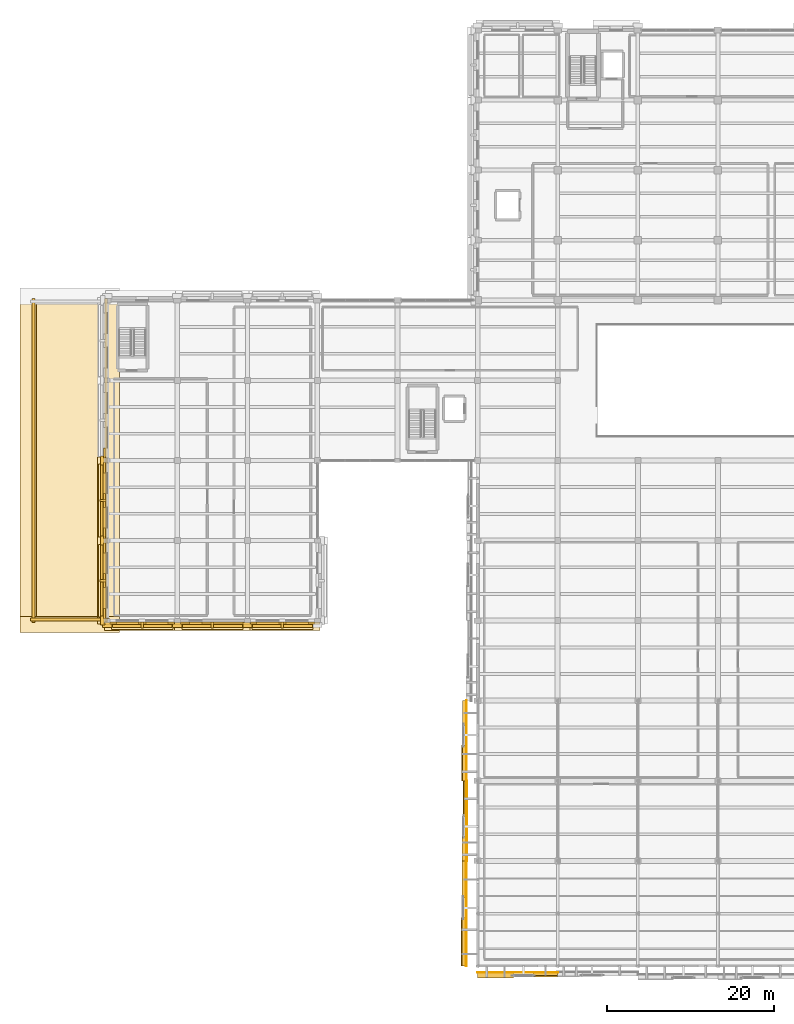
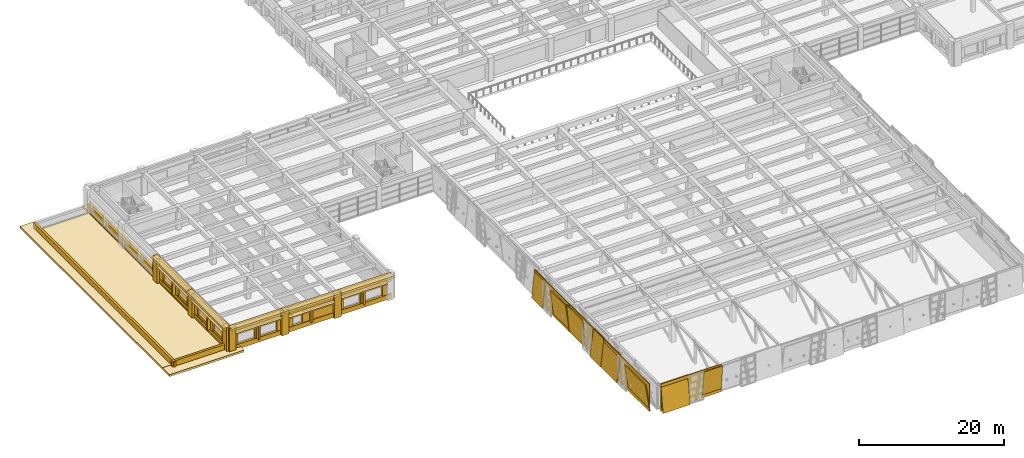
# One storey, part 52 of 62: 65 coverings, 5 shading devices.
"""IFC4 building model written with IfcOpenShell, lengths in metres."""

import ifcopenshell
import ifcopenshell.guid

model = None  # the IFC model being written
_history = None  # IfcOwnerHistory: only IFC2X3 demands one
_inside = {}  # id of a spatial element -> (the spatial element, [elements in it])
_under = {}  # id of a project, library or spatial element -> (it, [spatial elements below it])
_declared = {}  # id of a project -> (the project, [libraries it declares])
_typed = {}  # id of a type object -> (the type object, [elements of that type])
_made_of = {}  # id of a material, layer set ... -> (it, [elements and type objects made of it])


def new_model(schema):
    """Start an empty IFC model of exactly this schema.

    Asked for "IFC4X3", IfcOpenShell would pick the latest addendum, in which some entities
    have other attributes; the version numbers below select the first issue.
    IFC2X3 requires an IfcOwnerHistory on every rooted entity: one is made here for all.
    """
    global model, _history
    if schema == "IFC4X3":
        model = ifcopenshell.file(schema_version=(4, 3, 0, 0))
    else:
        model = ifcopenshell.file(schema=schema)
    _inside.clear()
    _under.clear()
    _declared.clear()
    _typed.clear()
    _made_of.clear()
    _history = None
    if model.schema == "IFC2X3":
        org = make("IfcOrganization", Name="unknown")
        user = make(
            "IfcPersonAndOrganization",
            ThePerson=make("IfcPerson", FamilyName="unknown"),
            TheOrganization=org,
        )
        app = make(
            "IfcApplication",
            ApplicationDeveloper=org,
            Version="unknown",
            ApplicationFullName="unknown",
            ApplicationIdentifier="unknown",
        )
        _history = make(
            "IfcOwnerHistory",
            OwningUser=user,
            OwningApplication=app,
            ChangeAction="ADDED",
            CreationDate=0,
        )
    return model


def make(cls, **values):
    """One entity of the class cls with the attributes given. An attribute that is None is left unset."""
    return model.create_entity(
        cls, **{name: value for name, value in values.items() if value is not None}
    )


def rooted(cls, **values):
    """An entity with a GlobalId (a new one), such as an element, a storey or a relation."""
    return make(cls, GlobalId=ifcopenshell.guid.new(), OwnerHistory=_history, **values)


def si_unit(unit_type, name, prefix=None):
    """IfcSIUnit, for example si_unit("LENGTHUNIT", "METRE", prefix="MILLI")."""
    return make("IfcSIUnit", UnitType=unit_type, Prefix=prefix, Name=name)


def assignment(units):
    """IfcUnitAssignment: the units of a project."""
    return None if units is None else make("IfcUnitAssignment", Units=units)


def point(xyz):
    """IfcCartesianPoint."""
    return None if xyz is None else make("IfcCartesianPoint", Coordinates=xyz)


def direction(xyz):
    """IfcDirection."""
    return None if xyz is None else make("IfcDirection", DirectionRatios=xyz)


def frame(location, z_axis=None, x_axis=None):
    """IfcAxis2Placement3D, a coordinate frame: its origin and axes. An axis left out is left unset."""
    return make(
        "IfcAxis2Placement3D",
        Location=point(location),
        Axis=direction(z_axis),
        RefDirection=direction(x_axis),
    )


def frame_2d(location, x_axis=None):
    """IfcAxis2Placement2D, a coordinate frame in the plane: its origin and x axis."""
    return make(
        "IfcAxis2Placement2D", Location=point(location), RefDirection=direction(x_axis)
    )


def origin():
    """The frame at (0, 0, 0) with its axes left unset."""
    return frame((0.0, 0.0, 0.0))


def origin_2d():
    """The frame at (0, 0) in the plane with its x axis left unset."""
    return frame_2d((0.0, 0.0))


def place(relative_to, where):
    """IfcLocalPlacement: puts the frame where relative to a parent placement (None: the world)."""
    return make(
        "IfcLocalPlacement", PlacementRelTo=relative_to, RelativePlacement=where
    )


def context(
    kind, dimensions, precision=None, world=None, true_north=None, identifier=None
):
    """IfcGeometricRepresentationContext, for example the 3D "Model" context."""
    return make(
        "IfcGeometricRepresentationContext",
        ContextIdentifier=identifier,
        ContextType=kind,
        CoordinateSpaceDimension=dimensions,
        Precision=precision,
        WorldCoordinateSystem=world,
        TrueNorth=true_north,
    )


def subcontext(parent, identifier, kind, view, scale=None):
    """IfcGeometricRepresentationSubContext, for example "Body" below "Model"."""
    return make(
        "IfcGeometricRepresentationSubContext",
        ContextIdentifier=identifier,
        ContextType=kind,
        ParentContext=parent,
        TargetScale=scale,
        TargetView=view,
    )


def project(units=None, contexts=None):
    """IfcProject with its units and contexts."""
    return rooted(
        "IfcProject",
        Name="project",
        RepresentationContexts=contexts,
        UnitsInContext=assignment(units),
    )


def spatial(cls, under=None, at=None, **own):
    """A site, building, storey or space (cls), placed at a placement, below another one or the project."""
    s = rooted(cls, ObjectPlacement=at, **own)
    if under is not None:
        _under.setdefault(under.id(), (under, []))[1].append(s)
    return s


def polyline(points):
    """IfcPolyline through the points."""
    return make("IfcPolyline", Points=[point(p) for p in points])


def profile(cls, at=None, kind="AREA", **sizes):
    """A parametric profile (cls). Its sizes go by their IFC names, for example OverallWidth=200.0."""
    return make(cls, ProfileType=kind, Position=at, **sizes)


def rectangle(**sizes):
    """IfcRectangleProfileDef."""
    return profile("IfcRectangleProfileDef", **sizes)


def outline(outer, holes=None, kind="AREA"):
    """IfcArbitraryClosedProfileDef: a profile drawn as a closed curve; with holes, ...WithVoids."""
    if holes is None:
        return make("IfcArbitraryClosedProfileDef", ProfileType=kind, OuterCurve=outer)
    return make(
        "IfcArbitraryProfileDefWithVoids",
        ProfileType=kind,
        OuterCurve=outer,
        InnerCurves=holes,
    )


def extrude(swept, where, along, depth):
    """IfcExtrudedAreaSolid: the profile swept, set in the frame where, extruded along a direction by depth."""
    return make(
        "IfcExtrudedAreaSolid",
        SweptArea=swept,
        Position=where,
        ExtrudedDirection=direction(along),
        Depth=depth,
    )


def shape(context_of_items, identifier, shape_type, items):
    """IfcShapeRepresentation: the items that make up one representation, for example the "Body"."""
    return make(
        "IfcShapeRepresentation",
        ContextOfItems=context_of_items,
        RepresentationIdentifier=identifier,
        RepresentationType=shape_type,
        Items=items,
    )


def material(Name=None, Category=None):
    """IfcMaterial."""
    return make("IfcMaterial", Name=Name, Category=Category)


def layer(
    of_material, thickness, ventilated=None, Name=None, Category=None, Priority=None
):
    """IfcMaterialLayer: one layer of a wall or slab, of a material (None: an air gap)."""
    return make(
        "IfcMaterialLayer",
        Material=of_material,
        LayerThickness=thickness,
        IsVentilated=ventilated,
        Name=Name,
        Category=Category,
        Priority=Priority,
    )


def layer_set(layers, Name=None):
    """IfcMaterialLayerSet."""
    return make("IfcMaterialLayerSet", MaterialLayers=layers, LayerSetName=Name)


def made_of(thing, what):
    """Note that an element or type object is made of a material, layer set ...; save() writes the relation."""
    if what is not None:
        _made_of.setdefault(what.id(), (what, []))[1].append(thing)
    return thing


def type_object(cls, material=None, **own):
    """A type object (cls), such as IfcWallType, which elements share."""
    return made_of(rooted(cls, **own), material)


def element(
    cls,
    number,
    at=None,
    inside=None,
    cuts=None,
    type_object=None,
    material=None,
    context=None,
    identifier="Body",
    shape_type=None,
    held_by="IfcProductDefinitionShape",
    body=None,
    shapes=None,
    **own,
):
    """One element of the class cls, such as IfcWall. Its Tag is "e" and its number.

    at: its placement. inside: the storey or other place that contains it. cuts: it is an
    opening in that element (IfcRelVoidsElement). A single representation is given by context,
    identifier, shape_type and body (its items); several are given by shapes. held_by: the class
    of the entity that holds the representations. save() writes the other relations.
    """
    e = rooted(cls, Tag="e%d" % number, ObjectPlacement=at, **own)
    if body is not None:
        shapes = [shape(context, identifier, shape_type, body)]
    if shapes is not None:
        e.Representation = make(held_by, Representations=shapes)
    if inside is not None:
        _inside.setdefault(inside.id(), (inside, []))[1].append(e)
    if cuts is not None:
        rooted(
            "IfcRelVoidsElement", RelatingBuildingElement=cuts, RelatedOpeningElement=e
        )
    if type_object is not None:
        _typed.setdefault(type_object.id(), (type_object, []))[1].append(e)
    return made_of(e, material)


def aggregate(whole, parts):
    """IfcRelAggregates: a whole, such as a stair, and the parts it consists of."""
    return rooted("IfcRelAggregates", RelatingObject=whole, RelatedObjects=parts)


def save(model, path):
    """Write the relations noted so far, then the file.

    IfcRelAggregates (storeys below a building ...), IfcRelContainedInSpatialStructure (elements
    in a storey), IfcRelDefinesByType, IfcRelAssociatesMaterial and IfcRelDeclares: one each for
    every whole, place, type object, material and project.
    """
    for whole, parts in _under.values():
        aggregate(whole, parts)
    for where, things in _inside.values():
        rooted(
            "IfcRelContainedInSpatialStructure",
            RelatedElements=things,
            RelatingStructure=where,
        )
    for kind, things in _typed.values():
        rooted("IfcRelDefinesByType", RelatedObjects=things, RelatingType=kind)
    for what, things in _made_of.values():
        rooted("IfcRelAssociatesMaterial", RelatedObjects=things, RelatingMaterial=what)
    for by, libraries in _declared.values():
        rooted("IfcRelDeclares", RelatingContext=by, RelatedDefinitions=libraries)
    model.write(path)


model = new_model("IFC4")

# Units and contexts
model_context = context("Model", 3, precision=1e-05, world=origin(), true_north=direction((0.0, 1.0)))
body_context = subcontext(model_context, "Body", "Model", "MODEL_VIEW")
ifc_project = project(units=[si_unit("LENGTHUNIT", "METRE"), si_unit("AREAUNIT", "SQUARE_METRE"), si_unit("VOLUMEUNIT", "CUBIC_METRE"), si_unit("PLANEANGLEUNIT", "RADIAN"), si_unit("MASSUNIT", "GRAM", prefix="KILO")], contexts=[model_context])

# Site, building, storey
site_placement = place(None, origin())
site = spatial("IfcSite", under=ifc_project, at=site_placement, CompositionType="ELEMENT")
building_placement = place(site_placement, origin())
building = spatial("IfcBuilding", under=site, at=building_placement, Name="Bempovik Park Faculty of Sciences", CompositionType="ELEMENT")
storey_placement = place(building_placement, frame((0.0, 0.0, 9.89990234375)))
storey = spatial("IfcBuildingStorey", under=building, at=storey_placement, Name="L02", CompositionType="ELEMENT", Elevation=9.89990234375)

# Coverings
ifc_material_1 = material(Name="White reconstituted limestone precast C40/50", Category="masonry")
ifc_layer_1 = layer(ifc_material_1, 0.1201171875)
ifc_layer_set_1 = layer_set([ifc_layer_1], Name="White reconstituted limestone precast C40/50")
covering_type_1 = type_object("IfcCoveringType", Name="CL-01 Crystal Limestone Facet 120mm", PredefinedType="CLADDING", material=ifc_layer_set_1)
covering_1_placement = place(storey_placement, frame((64.800048828125, 6.419677734375, -0.419921875), z_axis=(0.0, 0.0, 1.0), x_axis=(1.0, 0.0, 0.0)))
element("IfcCovering", 1, at=covering_1_placement, inside=storey, type_object=covering_type_1, Name="L02 White Crystal Seam Backing 72-600", PredefinedType="CLADDING", context=body_context, shape_type="SweptSolid", body=[
    extrude(rectangle(XDim=9.679931640625, YDim=0.10009765625, at=origin_2d()), origin(), (0.0, 0.0, 1.0), 4.659912109375),
])
covering_2_placement = place(storey_placement, frame((62.1474609375, 5.83935546875, -0.394775390625), z_axis=(0.0, 0.146083028562, 0.989272332963), x_axis=(1.0, 0.0, 0.0)))
element("IfcCovering", 2, at=covering_2_placement, inside=storey, type_object=covering_type_1, Name="L02 Tilted Crystal Limestone Facet FAC-CRYS-L02-72-600", PredefinedType="CLADDING", context=body_context, shape_type="SweptSolid", body=[
    extrude(rectangle(XDim=4.294921875, YDim=0.139892578125, at=origin_2d()), origin(), (0.0, 0.0, 1.0), 4.659912109375),
])
covering_3_placement = place(storey_placement, frame((68.12744140625, 6.4951171875, -0.40576171875), z_axis=(0.0, -0.109734311091, 0.993960955455), x_axis=(1.0, 0.0, 0.0)))
element("IfcCovering", 3, at=covering_3_placement, inside=storey, type_object=covering_type_1, Name="L02 Counter-Tilted Crystal Facet FAC-CRYS-L02-72-600-R", PredefinedType="CLADDING", context=body_context, shape_type="SweptSolid", body=[
    extrude(rectangle(XDim=2.945068359375, YDim=0.139892578125, at=origin_2d()), origin(), (0.0, 0.0, 1.0), 4.659912109375),
])
covering_4_placement = place(storey_placement, frame((58.6396484375, 13.5, -0.419921875), z_axis=(0.0, 0.0, 1.0), x_axis=(1.0, 0.0, 0.0)))
element("IfcCovering", 4, at=covering_4_placement, inside=storey, type_object=covering_type_1, Name="L02 White Crystal Seam Backing 600-72", PredefinedType="CLADDING", context=body_context, shape_type="SweptSolid", body=[
    extrude(rectangle(XDim=0.10009765625, YDim=12.679931640625, at=origin_2d()), origin(), (0.0, 0.0, 1.0), 4.659912109375),
])
covering_5_placement = place(storey_placement, frame((58.739990234375, 10.097412109375, -0.394775390625), z_axis=(-0.146083028562, 0.0, 0.989272332963), x_axis=(0.0, 1.0, 0.0)))
element("IfcCovering", 5, at=covering_5_placement, inside=storey, type_object=covering_type_1, Name="L02 Tilted Crystal Limestone Facet FAC-CRYS-L02-600-72", PredefinedType="CLADDING", context=body_context, shape_type="SweptSolid", body=[
    extrude(rectangle(XDim=5.794921875, YDim=0.139892578125, at=origin_2d()), origin(), (0.0, 0.0, 1.0), 4.659912109375),
])
covering_6_placement = place(storey_placement, frame((58.2041015625, 17.577392578125, -0.40576171875), z_axis=(0.109734311091, 0.0, 0.993960955455), x_axis=(0.0, 1.0, 0.0)))
element("IfcCovering", 6, at=covering_6_placement, inside=storey, type_object=covering_type_1, Name="L02 Counter-Tilted Crystal Facet FAC-CRYS-L02-600-72-R", PredefinedType="CLADDING", context=body_context, shape_type="SweptSolid", body=[
    extrude(rectangle(XDim=4.445068359375, YDim=0.139892578125, at=origin_2d()), origin(), (0.0, 0.0, 1.0), 4.659912109375),
])
covering_7_placement = place(storey_placement, frame((58.7041015625, 24.60009765625, -0.419921875), z_axis=(0.0, 0.0, 1.0), x_axis=(1.0, 0.0, 0.0)))
element("IfcCovering", 7, at=covering_7_placement, inside=storey, type_object=covering_type_1, Name="L02 White Crystal Seam Backing 600-198", PredefinedType="CLADDING", context=body_context, shape_type="SweptSolid", body=[
    extrude(rectangle(XDim=0.10009765625, YDim=9.679931640625, at=origin_2d()), origin(), (0.0, 0.0, 1.0), 4.659912109375),
])
covering_8_placement = place(storey_placement, frame((58.188232421875, 21.2724609375, -0.4033203125), z_axis=(0.118403968307, 0.0, 0.992965508107), x_axis=(0.0, 1.0, 0.0)))
element("IfcCovering", 8, at=covering_8_placement, inside=storey, type_object=covering_type_1, Name="L02 Tilted Crystal Limestone Facet FAC-CRYS-L02-600-198", PredefinedType="CLADDING", context=body_context, shape_type="SweptSolid", body=[
    extrude(rectangle(XDim=2.945068359375, YDim=0.139892578125, at=origin_2d()), origin(), (0.0, 0.0, 1.0), 4.659912109375),
])
covering_9_placement = place(storey_placement, frame((58.731201171875, 27.25244140625, -0.41064453125), z_axis=(-0.088894296866, 0.0, 0.996041065411), x_axis=(0.0, 1.0, 0.0)))
element("IfcCovering", 9, at=covering_9_placement, inside=storey, type_object=covering_type_1, Name="L02 Counter-Tilted Crystal Facet FAC-CRYS-L02-600-198-R", PredefinedType="CLADDING", context=body_context, shape_type="SweptSolid", body=[
    extrude(rectangle(XDim=4.294921875, YDim=0.139892578125, at=origin_2d()), origin(), (0.0, 0.0, 1.0), 4.659912109375),
])
covering_10_placement = place(storey_placement, frame((58.671875, 34.199951171875, -0.419921875), z_axis=(0.0, 0.0, 1.0), x_axis=(1.0, 0.0, 0.0)))
element("IfcCovering", 10, at=covering_10_placement, inside=storey, type_object=covering_type_1, Name="L02 White Crystal Seam Backing 600-294", PredefinedType="CLADDING", context=body_context, shape_type="SweptSolid", body=[
    extrude(rectangle(XDim=0.10009765625, YDim=9.679931640625, at=origin_2d()), origin(), (0.0, 0.0, 1.0), 4.659912109375),
])
covering_11_placement = place(storey_placement, frame((58.739990234375, 31.547607421875, -0.3994140625), z_axis=(-0.132256390257, 0.0, 0.991215540252), x_axis=(0.0, 1.0, 0.0)))
element("IfcCovering", 11, at=covering_11_placement, inside=storey, type_object=covering_type_1, Name="L02 Tilted Crystal Limestone Facet FAC-CRYS-L02-600-294", PredefinedType="CLADDING", context=body_context, shape_type="SweptSolid", body=[
    extrude(rectangle(XDim=4.294921875, YDim=0.139892578125, at=origin_2d()), origin(), (0.0, 0.0, 1.0), 4.659912109375),
])
covering_12_placement = place(storey_placement, frame((58.26025390625, 37.527587890625, -0.408203125), z_axis=(0.099319749744, 0.0, 0.995055569961), x_axis=(0.0, 1.0, 0.0)))
element("IfcCovering", 12, at=covering_12_placement, inside=storey, type_object=covering_type_1, Name="L02 Counter-Tilted Crystal Facet FAC-CRYS-L02-600-294-R", PredefinedType="CLADDING", context=body_context, shape_type="SweptSolid", body=[
    extrude(rectangle(XDim=2.945068359375, YDim=0.139892578125, at=origin_2d()), origin(), (0.0, 0.0, 1.0), 4.659912109375),
])
ifc_material_2 = material(Name="Precast concrete C40/50", Category="concrete")
ifc_layer_2 = layer(ifc_material_2, 0.179931640625)
ifc_layer_set_2 = layer_set([ifc_layer_2], Name="Precast concrete C40/50")
covering_type_2 = type_object("IfcCoveringType", Name="CL-02 Classical Cornice Band 180mm", PredefinedType="CLADDING", material=ifc_layer_set_2)
covering_13_placement = place(storey_placement, frame((19.800048828125, 47.93505859375, 3.83984375), z_axis=(0.0, 0.0, 1.0), x_axis=(1.0, 0.0, 0.0)))
element("IfcCovering", 13, at=covering_13_placement, inside=storey, type_object=covering_type_2, Name="L02 Classical Projecting Dentil Cornice EW-L02-7380", PredefinedType="CLADDING", context=body_context, shape_type="SweptSolid", body=[
    extrude(rectangle(XDim=9.02587890625, YDim=1.050048828125, at=origin_2d()), origin(), (0.0, 0.0, 1.0), 0.360107421875),
])
covering_14_placement = place(storey_placement, frame((19.800048828125, 48.0, 2.91015625), z_axis=(0.0, 0.0, 1.0), x_axis=(1.0, 0.0, 0.0)))
element("IfcCovering", 14, at=covering_14_placement, inside=storey, type_object=covering_type_2, Name="L02 Classical Stone Solar Window Hood EW-L02-7380", PredefinedType="CLADDING", context=body_context, shape_type="SweptSolid", body=[
    extrude(rectangle(XDim=7.325927734375, YDim=0.919921875, at=origin_2d()), origin(), (0.0, 0.0, 1.0), 0.219970703125),
])
covering_15_placement = place(storey_placement, frame((28.199951171875, 47.93505859375, 3.83984375), z_axis=(0.0, 0.0, 1.0), x_axis=(1.0, 0.0, 0.0)))
element("IfcCovering", 15, at=covering_15_placement, inside=storey, type_object=covering_type_2, Name="L02 Classical Projecting Dentil Cornice EW-L02-7394", PredefinedType="CLADDING", context=body_context, shape_type="SweptSolid", body=[
    extrude(rectangle(XDim=9.02587890625, YDim=1.050048828125, at=origin_2d()), origin(), (0.0, 0.0, 1.0), 0.360107421875),
])
covering_16_placement = place(storey_placement, frame((28.199951171875, 48.0, 2.6103515625), z_axis=(0.0, 0.0, 1.0), x_axis=(1.0, 0.0, 0.0)))
element("IfcCovering", 16, at=covering_16_placement, inside=storey, type_object=covering_type_2, Name="L02 Classical Stone Solar Window Hood EW-L02-7394", PredefinedType="CLADDING", context=body_context, shape_type="SweptSolid", body=[
    extrude(rectangle(XDim=7.325927734375, YDim=0.919921875, at=origin_2d()), origin(), (0.0, 0.0, 1.0), 0.219970703125),
])
covering_17_placement = place(storey_placement, frame((36.60009765625, 47.93505859375, 3.83984375), z_axis=(0.0, 0.0, 1.0), x_axis=(1.0, 0.0, 0.0)))
element("IfcCovering", 17, at=covering_17_placement, inside=storey, type_object=covering_type_2, Name="L02 Classical Projecting Dentil Cornice EW-L02-7405", PredefinedType="CLADDING", context=body_context, shape_type="SweptSolid", body=[
    extrude(rectangle(XDim=9.02587890625, YDim=1.050048828125, at=origin_2d()), origin(), (0.0, 0.0, 1.0), 0.360107421875),
])
covering_18_placement = place(storey_placement, frame((36.60009765625, 48.0, 2.91015625), z_axis=(0.0, 0.0, 1.0), x_axis=(1.0, 0.0, 0.0)))
element("IfcCovering", 18, at=covering_18_placement, inside=storey, type_object=covering_type_2, Name="L02 Classical Stone Solar Window Hood EW-L02-7405", PredefinedType="CLADDING", context=body_context, shape_type="SweptSolid", body=[
    extrude(rectangle(XDim=7.325927734375, YDim=0.919921875, at=origin_2d()), origin(), (0.0, 0.0, 1.0), 0.219970703125),
])
covering_19_placement = place(storey_placement, frame((14.93505859375, 53.39990234375, 3.83984375), z_axis=(0.0, 0.0, 1.0), x_axis=(1.0, 0.0, 0.0)))
element("IfcCovering", 19, at=covering_19_placement, inside=storey, type_object=covering_type_2, Name="L02 Classical Projecting Dentil Cornice EW-L02-7418", PredefinedType="CLADDING", context=body_context, shape_type="SweptSolid", body=[
    extrude(rectangle(XDim=1.050048828125, YDim=10.406005859375, at=origin_2d()), origin(), (0.0, 0.0, 1.0), 0.360107421875),
])
covering_20_placement = place(storey_placement, frame((15.0, 53.39990234375, 2.91015625), z_axis=(0.0, 0.0, 1.0), x_axis=(1.0, 0.0, 0.0)))
element("IfcCovering", 20, at=covering_20_placement, inside=storey, type_object=covering_type_2, Name="L02 Classical Stone Solar Window Hood EW-L02-7418", PredefinedType="CLADDING", context=body_context, shape_type="SweptSolid", body=[
    extrude(rectangle(XDim=0.919921875, YDim=8.7060546875, at=origin_2d()), origin(), (0.0, 0.0, 1.0), 0.219970703125),
])
covering_21_placement = place(storey_placement, frame((14.93505859375, 63.0, 3.83984375), z_axis=(0.0, 0.0, 1.0), x_axis=(1.0, 0.0, 0.0)))
element("IfcCovering", 21, at=covering_21_placement, inside=storey, type_object=covering_type_2, Name="L02 Classical Projecting Dentil Cornice EW-L02-7432", PredefinedType="CLADDING", context=body_context, shape_type="SweptSolid", body=[
    extrude(rectangle(XDim=1.050048828125, YDim=10.406005859375, at=origin_2d()), origin(), (0.0, 0.0, 1.0), 0.360107421875),
])
covering_22_placement = place(storey_placement, frame((15.0, 63.0, 2.91015625), z_axis=(0.0, 0.0, 1.0), x_axis=(1.0, 0.0, 0.0)))
element("IfcCovering", 22, at=covering_22_placement, inside=storey, type_object=covering_type_2, Name="L02 Classical Stone Solar Window Hood EW-L02-7432", PredefinedType="CLADDING", context=body_context, shape_type="SweptSolid", body=[
    extrude(rectangle(XDim=0.919921875, YDim=8.7060546875, at=origin_2d()), origin(), (0.0, 0.0, 1.0), 0.219970703125),
])
covering_23_placement = place(storey_placement, frame((11.10009765625, 48.125, -0.06982421875), z_axis=(0.0, 0.0, 1.0), x_axis=(1.0, 0.0, 0.0)))
element("IfcCovering", 23, at=covering_23_placement, inside=storey, type_object=covering_type_2, Name="Classical Deep Overhanging Stone Eave V4LO-S", PredefinedType="CLADDING", context=body_context, shape_type="SweptSolid", body=[
    extrude(rectangle(XDim=11.89990234375, YDim=1.949951171875, at=origin_2d()), origin(), (0.0, 0.0, 1.0), 0.340087890625),
])
for number, where, z_axis, x_axis, name in (
    (24, (6.125, 67.800048828125, -0.06982421875), (0.0, 0.0, 1.0), (1.0, 0.0, 0.0), "Classical Deep Overhanging Stone Eave V4LO-W"),
    (25, (16.074951171875, 67.800048828125, -0.06982421875), (0.0, 0.0, 1.0), (1.0, 0.0, 0.0), "Classical Deep Overhanging Stone Eave V4LO-E"),
):
    element("IfcCovering", number, at=place(storey_placement, frame(where, z_axis=z_axis, x_axis=x_axis)), inside=storey, type_object=covering_type_2, Name=name, PredefinedType="CLADDING", context=body_context, shape_type="SweptSolid", body=[
        extrude(rectangle(XDim=1.949951171875, YDim=41.300048828125, at=origin_2d()), origin(), (0.0, 0.0, 1.0), 0.340087890625),
    ])
ifc_layer_3 = layer(ifc_material_1, 0.239990234375)
ifc_layer_set_3 = layer_set([ifc_layer_3], Name="White reconstituted limestone precast C40/50")
covering_type_3 = type_object("IfcCoveringType", Name="CL-03 Classical Fluted Limestone Pilaster 240mm", PredefinedType="CLADDING", material=ifc_layer_set_3)
covering_24_placement = place(storey_placement, frame((19.800048828125, 48.2900390625, 2.919921875), z_axis=(0.0, 0.0, 1.0), x_axis=(1.0, 0.0, 0.0)))
element("IfcCovering", 26, at=covering_24_placement, inside=storey, type_object=covering_type_3, Name="L02 Classical Limestone Spandrel Entablature EW-L02-7380", PredefinedType="CLADDING", context=body_context, shape_type="SweptSolid", body=[
    extrude(rectangle(XDim=9.02587890625, YDim=0.340087890625, at=origin_2d()), origin(), (0.0, 0.0, 1.0), 1.280029296875),
])
covering_25_placement = place(storey_placement, frame((19.800048828125, 48.2900390625, 0.0), z_axis=(0.0, 0.0, 1.0), x_axis=(1.0, 0.0, 0.0)))
element("IfcCovering", 27, at=covering_25_placement, inside=storey, type_object=covering_type_3, Name="L02 Classical Limestone Sill Dado EW-L02-7380", PredefinedType="CLADDING", context=body_context, shape_type="SweptSolid", body=[
    extrude(rectangle(XDim=9.02587890625, YDim=0.340087890625, at=origin_2d()), origin(), (0.0, 0.0, 1.0), 0.780029296875),
])
for number, where, z_axis, x_axis, name in (
    (28, (15.60009765625, 48.070068359375, 0.0), (0.0, 0.0, 1.0), (1.0, 0.0, 0.0), "L02 Classical Fluted Stone Pilaster PIL-BA-L02-156-481"),
    (29, (24.0, 48.070068359375, 0.0), (0.0, 0.0, 1.0), (1.0, 0.0, 0.0), "L02 Classical Fluted Stone Pilaster PIL-BA-L02-240-481"),
):
    element("IfcCovering", number, at=place(storey_placement, frame(where, z_axis=z_axis, x_axis=x_axis)), inside=storey, type_object=covering_type_3, Name=name, PredefinedType="CLADDING", context=body_context, shape_type="SweptSolid", body=[
        extrude(rectangle(XDim=1.10009765625, YDim=0.580078125, at=origin_2d()), origin(), (0.0, 0.0, 1.0), 4.199951171875),
    ])
covering_26_placement = place(storey_placement, frame((16.328369140625, 48.300048828125, 0.0), z_axis=(0.0, 0.0, 1.0), x_axis=(1.0, 0.0, 0.0)))
element("IfcCovering", 30, at=covering_26_placement, inside=storey, type_object=covering_type_3, Name="L02 White Limestone Wall Cheek EW-L02-7380-0", PredefinedType="CLADDING", context=body_context, shape_type="SweptSolid", body=[
    extrude(rectangle(XDim=0.732421875, YDim=0.239990234375, at=origin_2d()), origin(), (0.0, 0.0, 1.0), 3.080078125),
])
covering_27_placement = place(storey_placement, frame((19.800048828125, 48.300048828125, 0.0), z_axis=(0.0, 0.0, 1.0), x_axis=(1.0, 0.0, 0.0)))
element("IfcCovering", 31, at=covering_27_placement, inside=storey, type_object=covering_type_3, Name="L02 White Limestone Wall Cheek EW-L02-7380-2", PredefinedType="CLADDING", context=body_context, shape_type="SweptSolid", body=[
    extrude(rectangle(XDim=0.85107421875, YDim=0.239990234375, at=origin_2d()), origin(), (0.0, 0.0, 1.0), 3.080078125),
])
covering_28_placement = place(storey_placement, frame((23.271728515625, 48.300048828125, 0.0), z_axis=(0.0, 0.0, 1.0), x_axis=(1.0, 0.0, 0.0)))
element("IfcCovering", 32, at=covering_28_placement, inside=storey, type_object=covering_type_3, Name="L02 White Limestone Wall Cheek EW-L02-7380-4", PredefinedType="CLADDING", context=body_context, shape_type="SweptSolid", body=[
    extrude(rectangle(XDim=0.732421875, YDim=0.239990234375, at=origin_2d()), origin(), (0.0, 0.0, 1.0), 3.080078125),
])
covering_29_placement = place(storey_placement, frame((19.800048828125, 48.090087890625, 0.7001953125), z_axis=(0.0, 0.0, 1.0), x_axis=(1.0, 0.0, 0.0)))
element("IfcCovering", 33, at=covering_29_placement, inside=storey, type_object=covering_type_3, Name="L02 Classical Vertical Stone Shading Fin EW-L02-7380", PredefinedType="CLADDING", context=body_context, shape_type="SweptSolid", body=[
    extrude(rectangle(XDim=0.280029296875, YDim=0.719970703125, at=origin_2d()), origin(), (0.0, 0.0, 1.0), 2.25),
])
covering_30_placement = place(storey_placement, frame((28.199951171875, 48.2900390625, 2.919921875), z_axis=(0.0, 0.0, 1.0), x_axis=(1.0, 0.0, 0.0)))
element("IfcCovering", 34, at=covering_30_placement, inside=storey, type_object=covering_type_3, Name="L02 Classical Limestone Spandrel Entablature EW-L02-7394", PredefinedType="CLADDING", context=body_context, shape_type="SweptSolid", body=[
    extrude(rectangle(XDim=9.02587890625, YDim=0.340087890625, at=origin_2d()), origin(), (0.0, 0.0, 1.0), 1.280029296875),
])
covering_31_placement = place(storey_placement, frame((28.199951171875, 48.2900390625, 0.0), z_axis=(0.0, 0.0, 1.0), x_axis=(1.0, 0.0, 0.0)))
element("IfcCovering", 35, at=covering_31_placement, inside=storey, type_object=covering_type_3, Name="L02 Classical Limestone Sill Dado EW-L02-7394", PredefinedType="CLADDING", context=body_context, shape_type="SweptSolid", body=[
    extrude(rectangle(XDim=9.02587890625, YDim=0.340087890625, at=origin_2d()), origin(), (0.0, 0.0, 1.0), 0.780029296875),
])
covering_32_placement = place(storey_placement, frame((32.39990234375, 48.070068359375, 0.0), z_axis=(0.0, 0.0, 1.0), x_axis=(1.0, 0.0, 0.0)))
element("IfcCovering", 36, at=covering_32_placement, inside=storey, type_object=covering_type_3, Name="L02 Classical Fluted Stone Pilaster PIL-BA-L02-324-481", PredefinedType="CLADDING", context=body_context, shape_type="SweptSolid", body=[
    extrude(rectangle(XDim=1.10009765625, YDim=0.580078125, at=origin_2d()), origin(), (0.0, 0.0, 1.0), 4.199951171875),
])
covering_33_placement = place(storey_placement, frame((24.9130859375, 48.300048828125, 0.0), z_axis=(0.0, 0.0, 1.0), x_axis=(1.0, 0.0, 0.0)))
element("IfcCovering", 37, at=covering_33_placement, inside=storey, type_object=covering_type_3, Name="L02 White Limestone Wall Cheek EW-L02-7394-0", PredefinedType="CLADDING", context=body_context, shape_type="SweptSolid", body=[
    extrude(rectangle(XDim=1.102294921875, YDim=0.239990234375, at=origin_2d()), origin(), (0.0, 0.0, 1.0), 3.080078125),
])
covering_34_placement = place(storey_placement, frame((29.4912109375, 48.300048828125, 0.0), z_axis=(0.0, 0.0, 1.0), x_axis=(1.0, 0.0, 0.0)))
element("IfcCovering", 38, at=covering_34_placement, inside=storey, type_object=covering_type_3, Name="L02 White Limestone Wall Cheek EW-L02-7394-2", PredefinedType="CLADDING", context=body_context, shape_type="SweptSolid", body=[
    extrude(rectangle(XDim=5.09375, YDim=0.239990234375, at=origin_2d()), origin(), (0.0, 0.0, 1.0), 3.080078125),
])
covering_35_placement = place(storey_placement, frame((28.199951171875, 48.090087890625, 0.7001953125), z_axis=(0.0, 0.0, 1.0), x_axis=(1.0, 0.0, 0.0)))
element("IfcCovering", 39, at=covering_35_placement, inside=storey, type_object=covering_type_3, Name="L02 Classical Vertical Stone Shading Fin EW-L02-7394", PredefinedType="CLADDING", context=body_context, shape_type="SweptSolid", body=[
    extrude(rectangle(XDim=0.280029296875, YDim=0.719970703125, at=origin_2d()), origin(), (0.0, 0.0, 1.0), 1.949951171875),
])
covering_36_placement = place(storey_placement, frame((36.60009765625, 48.2900390625, 2.919921875), z_axis=(0.0, 0.0, 1.0), x_axis=(1.0, 0.0, 0.0)))
element("IfcCovering", 40, at=covering_36_placement, inside=storey, type_object=covering_type_3, Name="L02 Classical Limestone Spandrel Entablature EW-L02-7405", PredefinedType="CLADDING", context=body_context, shape_type="SweptSolid", body=[
    extrude(rectangle(XDim=9.02587890625, YDim=0.340087890625, at=origin_2d()), origin(), (0.0, 0.0, 1.0), 1.280029296875),
])
covering_37_placement = place(storey_placement, frame((36.60009765625, 48.2900390625, 0.0), z_axis=(0.0, 0.0, 1.0), x_axis=(1.0, 0.0, 0.0)))
element("IfcCovering", 41, at=covering_37_placement, inside=storey, type_object=covering_type_3, Name="L02 Classical Limestone Sill Dado EW-L02-7405", PredefinedType="CLADDING", context=body_context, shape_type="SweptSolid", body=[
    extrude(rectangle(XDim=9.02587890625, YDim=0.340087890625, at=origin_2d()), origin(), (0.0, 0.0, 1.0), 0.780029296875),
])
covering_38_placement = place(storey_placement, frame((33.12841796875, 48.300048828125, 0.0), z_axis=(0.0, 0.0, 1.0), x_axis=(1.0, 0.0, 0.0)))
element("IfcCovering", 42, at=covering_38_placement, inside=storey, type_object=covering_type_3, Name="L02 White Limestone Wall Cheek EW-L02-7405-0", PredefinedType="CLADDING", context=body_context, shape_type="SweptSolid", body=[
    extrude(rectangle(XDim=0.732421875, YDim=0.239990234375, at=origin_2d()), origin(), (0.0, 0.0, 1.0), 3.080078125),
])
covering_39_placement = place(storey_placement, frame((36.60009765625, 48.300048828125, 0.0), z_axis=(0.0, 0.0, 1.0), x_axis=(1.0, 0.0, 0.0)))
element("IfcCovering", 43, at=covering_39_placement, inside=storey, type_object=covering_type_3, Name="L02 White Limestone Wall Cheek EW-L02-7405-2", PredefinedType="CLADDING", context=body_context, shape_type="SweptSolid", body=[
    extrude(rectangle(XDim=0.85107421875, YDim=0.239990234375, at=origin_2d()), origin(), (0.0, 0.0, 1.0), 3.080078125),
])
covering_40_placement = place(storey_placement, frame((40.07177734375, 48.300048828125, 0.0), z_axis=(0.0, 0.0, 1.0), x_axis=(1.0, 0.0, 0.0)))
element("IfcCovering", 44, at=covering_40_placement, inside=storey, type_object=covering_type_3, Name="L02 White Limestone Wall Cheek EW-L02-7405-4", PredefinedType="CLADDING", context=body_context, shape_type="SweptSolid", body=[
    extrude(rectangle(XDim=0.732421875, YDim=0.239990234375, at=origin_2d()), origin(), (0.0, 0.0, 1.0), 3.080078125),
])
covering_41_placement = place(storey_placement, frame((36.60009765625, 48.090087890625, 0.7001953125), z_axis=(0.0, 0.0, 1.0), x_axis=(1.0, 0.0, 0.0)))
element("IfcCovering", 45, at=covering_41_placement, inside=storey, type_object=covering_type_3, Name="L02 Classical Vertical Stone Shading Fin EW-L02-7405", PredefinedType="CLADDING", context=body_context, shape_type="SweptSolid", body=[
    extrude(rectangle(XDim=0.280029296875, YDim=0.719970703125, at=origin_2d()), origin(), (0.0, 0.0, 1.0), 2.25),
])
covering_42_placement = place(storey_placement, frame((15.2900390625, 53.39990234375, 2.919921875), z_axis=(0.0, 0.0, 1.0), x_axis=(1.0, 0.0, 0.0)))
element("IfcCovering", 46, at=covering_42_placement, inside=storey, type_object=covering_type_3, Name="L02 Classical Limestone Spandrel Entablature EW-L02-7418", PredefinedType="CLADDING", context=body_context, shape_type="SweptSolid", body=[
    extrude(rectangle(XDim=0.340087890625, YDim=10.406005859375, at=origin_2d()), origin(), (0.0, 0.0, 1.0), 1.280029296875),
])
covering_43_placement = place(storey_placement, frame((15.2900390625, 53.39990234375, 0.0), z_axis=(0.0, 0.0, 1.0), x_axis=(1.0, 0.0, 0.0)))
element("IfcCovering", 47, at=covering_43_placement, inside=storey, type_object=covering_type_3, Name="L02 Classical Limestone Sill Dado EW-L02-7418", PredefinedType="CLADDING", context=body_context, shape_type="SweptSolid", body=[
    extrude(rectangle(XDim=0.340087890625, YDim=10.406005859375, at=origin_2d()), origin(), (0.0, 0.0, 1.0), 0.780029296875),
])
for number, where, z_axis, x_axis, name in (
    (48, (15.070068359375, 48.60009765625, 0.0), (0.0, 0.0, 1.0), (1.0, 0.0, 0.0), "L02 Classical Fluted Stone Pilaster PIL-BA-L02-151-486"),
    (49, (15.070068359375, 58.199951171875, 0.0), (0.0, 0.0, 1.0), (1.0, 0.0, 0.0), "L02 Classical Fluted Stone Pilaster PIL-BA-L02-151-582"),
):
    element("IfcCovering", number, at=place(storey_placement, frame(where, z_axis=z_axis, x_axis=x_axis)), inside=storey, type_object=covering_type_3, Name=name, PredefinedType="CLADDING", context=body_context, shape_type="SweptSolid", body=[
        extrude(rectangle(XDim=0.580078125, YDim=1.10009765625, at=origin_2d()), origin(), (0.0, 0.0, 1.0), 4.199951171875),
    ])
covering_44_placement = place(storey_placement, frame((15.300048828125, 49.474609375, 0.0), z_axis=(0.0, 0.0, 1.0), x_axis=(1.0, 0.0, 0.0)))
element("IfcCovering", 50, at=covering_44_placement, inside=storey, type_object=covering_type_3, Name="L02 White Limestone Wall Cheek EW-L02-7418-0", PredefinedType="CLADDING", context=body_context, shape_type="SweptSolid", body=[
    extrude(rectangle(XDim=0.239990234375, YDim=1.205078125, at=origin_2d()), origin(), (0.0, 0.0, 1.0), 3.080078125),
])
covering_45_placement = place(storey_placement, frame((15.300048828125, 53.39990234375, 0.0), z_axis=(0.0, 0.0, 1.0), x_axis=(1.0, 0.0, 0.0)))
element("IfcCovering", 51, at=covering_45_placement, inside=storey, type_object=covering_type_3, Name="L02 White Limestone Wall Cheek EW-L02-7418-2", PredefinedType="CLADDING", context=body_context, shape_type="SweptSolid", body=[
    extrude(rectangle(XDim=0.239990234375, YDim=1.685791015625, at=origin_2d()), origin(), (0.0, 0.0, 1.0), 3.080078125),
])
covering_46_placement = place(storey_placement, frame((15.300048828125, 57.325439453125, 0.0), z_axis=(0.0, 0.0, 1.0), x_axis=(1.0, 0.0, 0.0)))
element("IfcCovering", 52, at=covering_46_placement, inside=storey, type_object=covering_type_3, Name="L02 White Limestone Wall Cheek EW-L02-7418-4", PredefinedType="CLADDING", context=body_context, shape_type="SweptSolid", body=[
    extrude(rectangle(XDim=0.239990234375, YDim=1.205078125, at=origin_2d()), origin(), (0.0, 0.0, 1.0), 3.080078125),
])
covering_47_placement = place(storey_placement, frame((15.090087890625, 53.39990234375, 0.7001953125), z_axis=(0.0, 0.0, 1.0), x_axis=(1.0, 0.0, 0.0)))
element("IfcCovering", 53, at=covering_47_placement, inside=storey, type_object=covering_type_3, Name="L02 Classical Vertical Stone Shading Fin EW-L02-7418", PredefinedType="CLADDING", context=body_context, shape_type="SweptSolid", body=[
    extrude(rectangle(XDim=0.719970703125, YDim=0.280029296875, at=origin_2d()), origin(), (0.0, 0.0, 1.0), 2.25),
])
covering_48_placement = place(storey_placement, frame((15.2900390625, 63.0, 2.919921875), z_axis=(0.0, 0.0, 1.0), x_axis=(1.0, 0.0, 0.0)))
element("IfcCovering", 54, at=covering_48_placement, inside=storey, type_object=covering_type_3, Name="L02 Classical Limestone Spandrel Entablature EW-L02-7432", PredefinedType="CLADDING", context=body_context, shape_type="SweptSolid", body=[
    extrude(rectangle(XDim=0.340087890625, YDim=10.406005859375, at=origin_2d()), origin(), (0.0, 0.0, 1.0), 1.280029296875),
])
covering_49_placement = place(storey_placement, frame((15.2900390625, 63.0, 0.0), z_axis=(0.0, 0.0, 1.0), x_axis=(1.0, 0.0, 0.0)))
element("IfcCovering", 55, at=covering_49_placement, inside=storey, type_object=covering_type_3, Name="L02 Classical Limestone Sill Dado EW-L02-7432", PredefinedType="CLADDING", context=body_context, shape_type="SweptSolid", body=[
    extrude(rectangle(XDim=0.340087890625, YDim=10.406005859375, at=origin_2d()), origin(), (0.0, 0.0, 1.0), 0.780029296875),
])
covering_50_placement = place(storey_placement, frame((15.070068359375, 67.800048828125, 0.0), z_axis=(0.0, 0.0, 1.0), x_axis=(1.0, 0.0, 0.0)))
element("IfcCovering", 56, at=covering_50_placement, inside=storey, type_object=covering_type_3, Name="L02 Classical Fluted Stone Pilaster PIL-BA-L02-151-678", PredefinedType="CLADDING", context=body_context, shape_type="SweptSolid", body=[
    extrude(rectangle(XDim=0.580078125, YDim=1.10009765625, at=origin_2d()), origin(), (0.0, 0.0, 1.0), 4.199951171875),
])
covering_51_placement = place(storey_placement, frame((15.300048828125, 59.07470703125, 0.0), z_axis=(0.0, 0.0, 1.0), x_axis=(1.0, 0.0, 0.0)))
element("IfcCovering", 57, at=covering_51_placement, inside=storey, type_object=covering_type_3, Name="L02 White Limestone Wall Cheek EW-L02-7432-0", PredefinedType="CLADDING", context=body_context, shape_type="SweptSolid", body=[
    extrude(rectangle(XDim=0.239990234375, YDim=1.205078125, at=origin_2d()), origin(), (0.0, 0.0, 1.0), 3.080078125),
])
covering_52_placement = place(storey_placement, frame((15.300048828125, 63.0, 0.0), z_axis=(0.0, 0.0, 1.0), x_axis=(1.0, 0.0, 0.0)))
element("IfcCovering", 58, at=covering_52_placement, inside=storey, type_object=covering_type_3, Name="L02 White Limestone Wall Cheek EW-L02-7432-2", PredefinedType="CLADDING", context=body_context, shape_type="SweptSolid", body=[
    extrude(rectangle(XDim=0.239990234375, YDim=1.685791015625, at=origin_2d()), origin(), (0.0, 0.0, 1.0), 3.080078125),
])
covering_53_placement = place(storey_placement, frame((15.300048828125, 66.92529296875, 0.0), z_axis=(0.0, 0.0, 1.0), x_axis=(1.0, 0.0, 0.0)))
element("IfcCovering", 59, at=covering_53_placement, inside=storey, type_object=covering_type_3, Name="L02 White Limestone Wall Cheek EW-L02-7432-4", PredefinedType="CLADDING", context=body_context, shape_type="SweptSolid", body=[
    extrude(rectangle(XDim=0.239990234375, YDim=1.205078125, at=origin_2d()), origin(), (0.0, 0.0, 1.0), 3.080078125),
])
covering_54_placement = place(storey_placement, frame((15.090087890625, 63.0, 0.7001953125), z_axis=(0.0, 0.0, 1.0), x_axis=(1.0, 0.0, 0.0)))
element("IfcCovering", 60, at=covering_54_placement, inside=storey, type_object=covering_type_3, Name="L02 Classical Vertical Stone Shading Fin EW-L02-7432", PredefinedType="CLADDING", context=body_context, shape_type="SweptSolid", body=[
    extrude(rectangle(XDim=0.719970703125, YDim=0.280029296875, at=origin_2d()), origin(), (0.0, 0.0, 1.0), 2.25),
])
covering_55_placement = place(storey_placement, frame((15.300048828125, 68.674560546875, 0.0), z_axis=(0.0, 0.0, 1.0), x_axis=(1.0, 0.0, 0.0)))
element("IfcCovering", 61, at=covering_55_placement, inside=storey, type_object=covering_type_3, Name="L02 White Limestone Wall Cheek EW-L02-7445-0", PredefinedType="CLADDING", context=body_context, shape_type="SweptSolid", body=[
    extrude(rectangle(XDim=0.239990234375, YDim=1.205078125, at=origin_2d()), origin(), (0.0, 0.0, 1.0), 3.080078125),
])
covering_56_placement = place(storey_placement, frame((11.10009765625, 48.75, 0.10498046875), z_axis=(0.0, 0.0, 1.0), x_axis=(1.0, 0.0, 0.0)))
element("IfcCovering", 62, at=covering_56_placement, inside=storey, type_object=covering_type_3, Name="White Limestone Attic Fascia V4LO-S", PredefinedType="CLADDING", context=body_context, shape_type="SweptSolid", body=[
    extrude(rectangle(XDim=9.39990234375, YDim=0.360107421875, at=origin_2d()), origin(), (0.0, 0.0, 1.0), 1.050048828125),
])
for number, where, z_axis, x_axis, name in (
    (63, (6.75, 67.800048828125, 0.10498046875), (0.0, 0.0, 1.0), (1.0, 0.0, 0.0), "White Limestone Attic Fascia V4LO-W"),
    (64, (15.449951171875, 67.800048828125, 0.10498046875), (0.0, 0.0, 1.0), (1.0, 0.0, 0.0), "White Limestone Attic Fascia V4LO-E"),
):
    element("IfcCovering", number, at=place(storey_placement, frame(where, z_axis=z_axis, x_axis=x_axis)), inside=storey, type_object=covering_type_3, Name=name, PredefinedType="CLADDING", context=body_context, shape_type="SweptSolid", body=[
        extrude(rectangle(XDim=0.360107421875, YDim=38.800048828125, at=origin_2d()), origin(), (0.0, 0.0, 1.0), 1.050048828125),
    ])
ifc_material_3 = material(Name="Insulated cool-roof membrane")
ifc_layer_4 = layer(ifc_material_3, 0.06005859375)
ifc_layer_set_4 = layer_set([ifc_layer_4], Name="Insulated cool-roof membrane")
covering_type_4 = type_object("IfcCoveringType", Name="RF-01 Cool Roof Membrane 60mm", PredefinedType="ROOFING", material=ifc_layer_set_4)
covering_57_placement = place(storey_placement, origin())
element("IfcCovering", 65, at=covering_57_placement, inside=storey, type_object=covering_type_4, Name="Cool-Roof Membrane RF-V4-STEP", PredefinedType="ROOFING", context=body_context, shape_type="SweptSolid", body=[
    extrude(outline(polyline([(6.85009765625, 48.85009765625), (15.35009765625, 48.85009765625), (15.35009765625, 86.75), (6.85009765625, 86.75), (6.85009765625, 48.85009765625)])), origin(), (0.0, 0.0, 1.0), 0.06005859375),
])

# Shading devices
ifc_material_4 = material(Name="Anodised architectural bronze")
ifc_layer_5 = layer(ifc_material_4, 0.06005859375)
ifc_layer_set_5 = layer_set([ifc_layer_5], Name="Anodised architectural bronze")
shading_device_type = type_object("IfcShadingDeviceType", Name="SH-01 Bronze Brise-Soleil Fin", PredefinedType="USERDEFINED", material=ifc_layer_set_5)
for number, where, z_axis, x_axis, name in (
    (66, (19.800048828125, 48.1201171875, 2.85009765625), (0.0, 0.0, 1.0), (1.0, 0.0, 0.0), "L02 Equatorial Bronze Brise-Soleil EW-L02-7380"),
    (67, (28.199951171875, 48.1201171875, 2.550048828125), (0.0, 0.0, 1.0), (1.0, 0.0, 0.0), "L02 Equatorial Bronze Brise-Soleil EW-L02-7394"),
    (68, (36.60009765625, 48.1201171875, 2.85009765625), (0.0, 0.0, 1.0), (1.0, 0.0, 0.0), "L02 Equatorial Bronze Brise-Soleil EW-L02-7405"),
):
    element("IfcShadingDevice", number, at=place(storey_placement, frame(where, z_axis=z_axis, x_axis=x_axis)), inside=storey, type_object=shading_device_type, Name=name, ObjectType="BRISE SOLEIL", PredefinedType="USERDEFINED", context=body_context, shape_type="SweptSolid", body=[
        extrude(rectangle(XDim=7.176025390625, YDim=0.64990234375, at=origin_2d()), origin(), (0.0, 0.0, 1.0), 0.06005859375),
    ])
for number, where, z_axis, x_axis, name in (
    (69, (15.1201171875, 53.39990234375, 2.85009765625), (0.0, 0.0, 1.0), (1.0, 0.0, 0.0), "L02 Equatorial Bronze Brise-Soleil EW-L02-7418"),
    (70, (15.1201171875, 63.0, 2.85009765625), (0.0, 0.0, 1.0), (1.0, 0.0, 0.0), "L02 Equatorial Bronze Brise-Soleil EW-L02-7432"),
):
    element("IfcShadingDevice", number, at=place(storey_placement, frame(where, z_axis=z_axis, x_axis=x_axis)), inside=storey, type_object=shading_device_type, Name=name, ObjectType="BRISE SOLEIL", PredefinedType="USERDEFINED", context=body_context, shape_type="SweptSolid", body=[
        extrude(rectangle(XDim=0.64990234375, YDim=8.555908203125, at=origin_2d()), origin(), (0.0, 0.0, 1.0), 0.06005859375),
    ])

save(model, "model.ifc")
